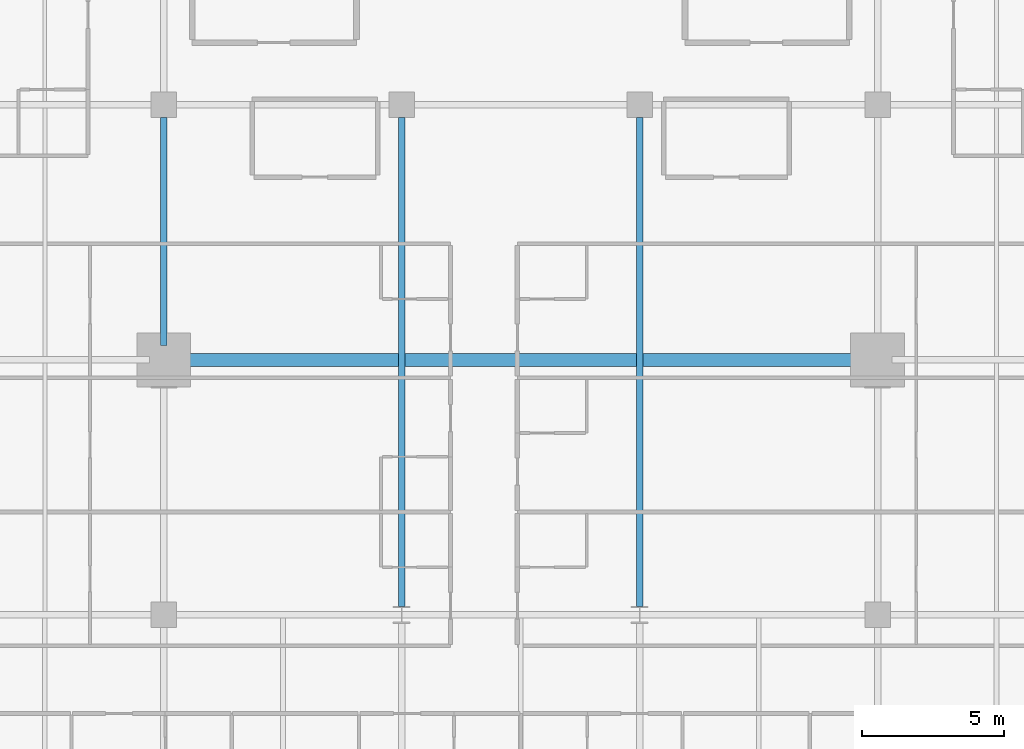
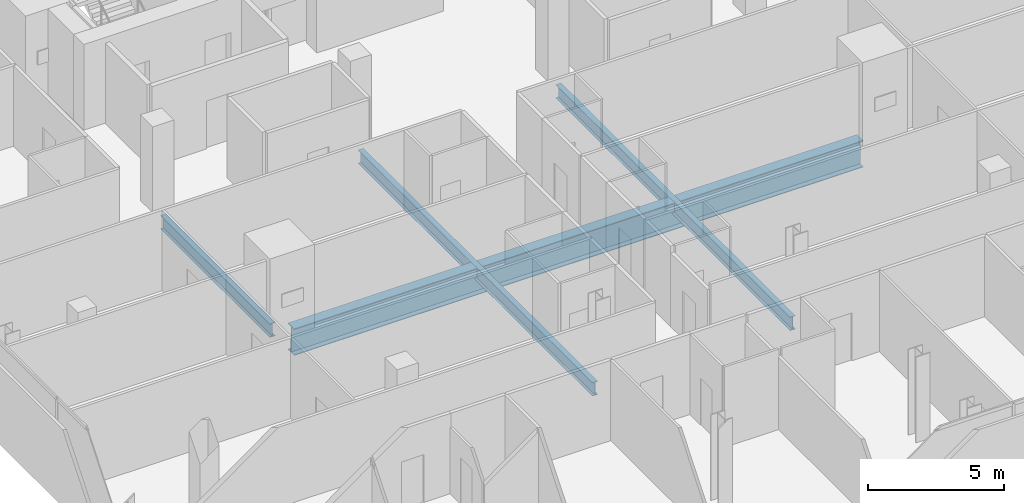
# One storey, part 11 of 33: 4 beams.
"""IFC4 building model written with IfcOpenShell, lengths in metres."""

from ifc_helpers import new_model, si_unit, direction, frame, origin, origin_2d, place, context, subcontext, project, spatial, i_section, extrude, material, material_profile, profile_set, type_object, element, save


model = new_model("IFC4")

# Units and contexts
model_context = context("Model", 3, precision=1e-05, world=origin(), true_north=direction((0.0, 1.0)))
body_context = subcontext(model_context, "Body", "Model", "MODEL_VIEW")
ifc_project = project(units=[si_unit("LENGTHUNIT", "METRE"), si_unit("AREAUNIT", "SQUARE_METRE"), si_unit("VOLUMEUNIT", "CUBIC_METRE"), si_unit("PLANEANGLEUNIT", "RADIAN"), si_unit("MASSUNIT", "GRAM", prefix="KILO")], contexts=[model_context])

# Site, building, storey
site_placement = place(None, origin())
site = spatial("IfcSite", under=ifc_project, at=site_placement, CompositionType="ELEMENT")
building_placement = place(site_placement, origin())
building = spatial("IfcBuilding", under=site, at=building_placement, Name="Maruvema Waterfront Hotel and Observation Tower", CompositionType="ELEMENT")
storey_placement = place(building_placement, frame((0.0, 0.0, 142.800048828125)))
storey = spatial("IfcBuildingStorey", under=building, at=storey_placement, Name="L34", CompositionType="ELEMENT", Elevation=142.800048828125)

# Beams
ifc_material_1 = material(Name="Steel ASTM A572 Grade 50", Category="steel")
ifc_material_profile_1 = material_profile(ifc_material_1, i_section(OverallWidth=0.22900390625, OverallDepth=0.612060546875, WebThickness=0.011962890625, FlangeThickness=0.01953125, FilletRadius=0.01806640625, at=origin_2d()), Name="W610x125.0")
ifc_profile_set_1 = profile_set([ifc_material_profile_1], Name="Steel ASTM A572 Grade 50")
beam_type_1 = type_object("IfcBeamType", Name="Primary Floor Girder W610x125.0", PredefinedType="BEAM", material=ifc_profile_set_1)
beam_1_placement = place(storey_placement, frame((25.199951171875, 27.5, -0.546142578125), z_axis=(0.0, 1.0, 0.0), x_axis=(-1.0, 0.0, 0.0)))
element("IfcBeam", 1, at=beam_1_placement, inside=storey, type_object=beam_type_1, Name="L34 Floor Girder NS-12", PredefinedType="BEAM", context=body_context, shape_type="SweptSolid", body=[
    extrude(i_section(OverallWidth=0.22900390625, OverallDepth=0.612060546875, WebThickness=0.011962890625, FlangeThickness=0.01953125, FilletRadius=0.01806640625, at=origin_2d()), origin(), (0.0, 0.0, 1.0), 8.050048828125),
])
for number, where, z_axis, x_axis, name in (
    (2, (33.60009765625, 18.300048828125, -0.546142578125), (0.0, 1.0, 0.0), (-1.0, 0.0, 0.0), "L34 Floor Girder NS-16"),
    (3, (42.0, 18.300048828125, -0.546142578125), (0.0, 1.0, 0.0), (-1.0, 0.0, 0.0), "L34 Floor Girder NS-19"),
):
    element("IfcBeam", number, at=place(storey_placement, frame(where, z_axis=z_axis, x_axis=x_axis)), inside=storey, type_object=beam_type_1, Name=name, PredefinedType="BEAM", context=body_context, shape_type="SweptSolid", body=[
        extrude(i_section(OverallWidth=0.22900390625, OverallDepth=0.612060546875, WebThickness=0.011962890625, FlangeThickness=0.01953125, FilletRadius=0.01806640625, at=origin_2d()), origin(), (0.0, 0.0, 1.0), 17.25),
    ])
ifc_material_2 = material(Name="Steel ABNT NBR 7007 AR 415 (ASTM A572 Grade 50)", Category="steel")
ifc_material_profile_2 = material_profile(ifc_material_2, i_section(OverallWidth=0.449951171875, OverallDepth=1.199951171875, WebThickness=0.01904296875, FlangeThickness=0.031982421875, at=origin_2d()), Name="VS1200x366")
ifc_profile_set_2 = profile_set([ifc_material_profile_2], Name="Steel ABNT NBR 7007 AR 415 (ASTM A572 Grade 50)")
beam_type_2 = type_object("IfcBeamType", Name="Upper Setback Transfer Girder VS1200x366", PredefinedType="USERDEFINED", material=ifc_profile_set_2)
beam_2_placement = place(storey_placement, frame((25.699951171875, 27.0, -0.840087890625), z_axis=(1.0, 0.0, 0.0), x_axis=(0.0, 1.0, 0.0)))
element("IfcBeam", 4, at=beam_2_placement, inside=storey, type_object=beam_type_2, Name="L34 Floor Girder EW-20", ObjectType="TRANSFER GIRDER", PredefinedType="USERDEFINED", context=body_context, shape_type="SweptSolid", body=[
    extrude(i_section(OverallWidth=0.449951171875, OverallDepth=1.199951171875, WebThickness=0.01904296875, FlangeThickness=0.031982421875, at=origin_2d()), origin(), (0.0, 0.0, 1.0), 24.199951171875),
])

save(model, "model.ifc")
